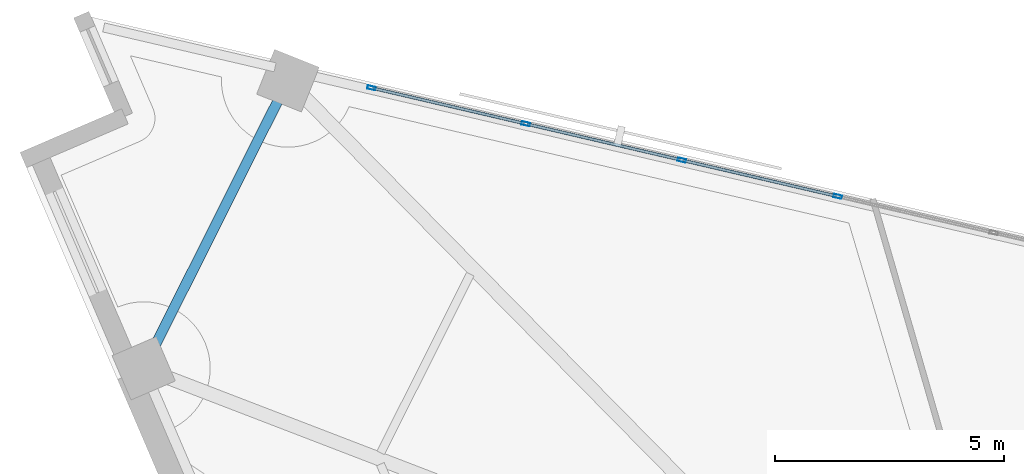
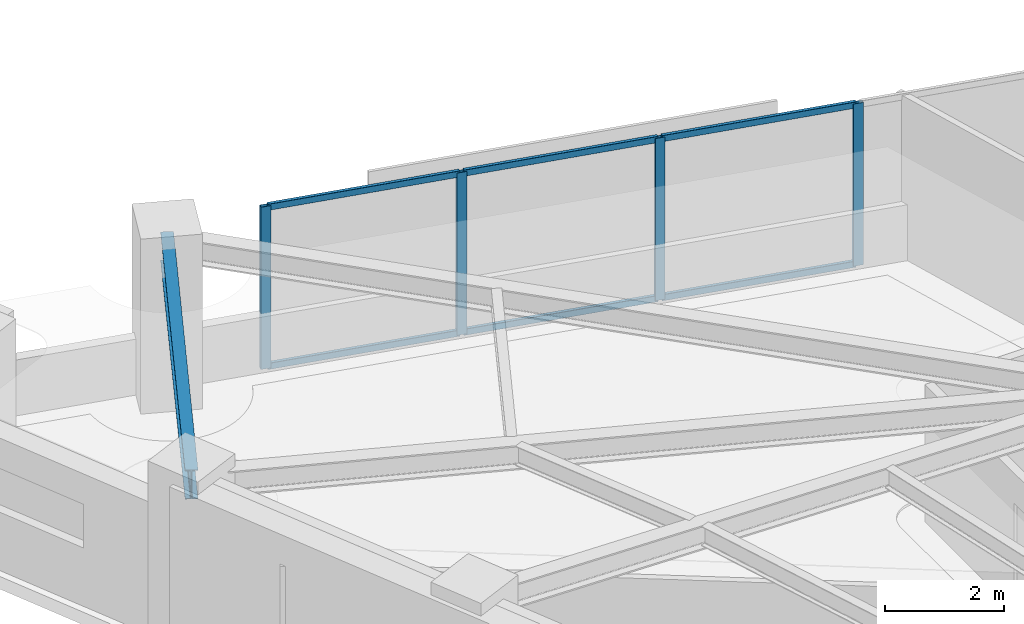
# One storey, part 6 of 13: 10 members, 1 beam, 1 element without a shape of its own.
"""IFC4 building model written with IfcOpenShell, lengths in metres."""

import ifcopenshell
import ifcopenshell.guid

model = None  # the IFC model being written
_history = None  # IfcOwnerHistory: only IFC2X3 demands one
_inside = {}  # id of a spatial element -> (the spatial element, [elements in it])
_under = {}  # id of a project, library or spatial element -> (it, [spatial elements below it])
_declared = {}  # id of a project -> (the project, [libraries it declares])
_typed = {}  # id of a type object -> (the type object, [elements of that type])
_made_of = {}  # id of a material, layer set ... -> (it, [elements and type objects made of it])


def new_model(schema):
    """Start an empty IFC model of exactly this schema.

    Asked for "IFC4X3", IfcOpenShell would pick the latest addendum, in which some entities
    have other attributes; the version numbers below select the first issue.
    IFC2X3 requires an IfcOwnerHistory on every rooted entity: one is made here for all.
    """
    global model, _history
    if schema == "IFC4X3":
        model = ifcopenshell.file(schema_version=(4, 3, 0, 0))
    else:
        model = ifcopenshell.file(schema=schema)
    _inside.clear()
    _under.clear()
    _declared.clear()
    _typed.clear()
    _made_of.clear()
    _history = None
    if model.schema == "IFC2X3":
        org = make("IfcOrganization", Name="unknown")
        user = make(
            "IfcPersonAndOrganization",
            ThePerson=make("IfcPerson", FamilyName="unknown"),
            TheOrganization=org,
        )
        app = make(
            "IfcApplication",
            ApplicationDeveloper=org,
            Version="unknown",
            ApplicationFullName="unknown",
            ApplicationIdentifier="unknown",
        )
        _history = make(
            "IfcOwnerHistory",
            OwningUser=user,
            OwningApplication=app,
            ChangeAction="ADDED",
            CreationDate=0,
        )
    return model


def make(cls, **values):
    """One entity of the class cls with the attributes given. An attribute that is None is left unset."""
    return model.create_entity(
        cls, **{name: value for name, value in values.items() if value is not None}
    )


def rooted(cls, **values):
    """An entity with a GlobalId (a new one), such as an element, a storey or a relation."""
    return make(cls, GlobalId=ifcopenshell.guid.new(), OwnerHistory=_history, **values)


def si_unit(unit_type, name, prefix=None):
    """IfcSIUnit, for example si_unit("LENGTHUNIT", "METRE", prefix="MILLI")."""
    return make("IfcSIUnit", UnitType=unit_type, Prefix=prefix, Name=name)


def assignment(units):
    """IfcUnitAssignment: the units of a project."""
    return None if units is None else make("IfcUnitAssignment", Units=units)


def point(xyz):
    """IfcCartesianPoint."""
    return None if xyz is None else make("IfcCartesianPoint", Coordinates=xyz)


def direction(xyz):
    """IfcDirection."""
    return None if xyz is None else make("IfcDirection", DirectionRatios=xyz)


def frame(location, z_axis=None, x_axis=None):
    """IfcAxis2Placement3D, a coordinate frame: its origin and axes. An axis left out is left unset."""
    return make(
        "IfcAxis2Placement3D",
        Location=point(location),
        Axis=direction(z_axis),
        RefDirection=direction(x_axis),
    )


def frame_2d(location, x_axis=None):
    """IfcAxis2Placement2D, a coordinate frame in the plane: its origin and x axis."""
    return make(
        "IfcAxis2Placement2D", Location=point(location), RefDirection=direction(x_axis)
    )


def origin():
    """The frame at (0, 0, 0) with its axes left unset."""
    return frame((0.0, 0.0, 0.0))


def origin_2d():
    """The frame at (0, 0) in the plane with its x axis left unset."""
    return frame_2d((0.0, 0.0))


def place(relative_to, where):
    """IfcLocalPlacement: puts the frame where relative to a parent placement (None: the world)."""
    return make(
        "IfcLocalPlacement", PlacementRelTo=relative_to, RelativePlacement=where
    )


def context(
    kind, dimensions, precision=None, world=None, true_north=None, identifier=None
):
    """IfcGeometricRepresentationContext, for example the 3D "Model" context."""
    return make(
        "IfcGeometricRepresentationContext",
        ContextIdentifier=identifier,
        ContextType=kind,
        CoordinateSpaceDimension=dimensions,
        Precision=precision,
        WorldCoordinateSystem=world,
        TrueNorth=true_north,
    )


def subcontext(parent, identifier, kind, view, scale=None):
    """IfcGeometricRepresentationSubContext, for example "Body" below "Model"."""
    return make(
        "IfcGeometricRepresentationSubContext",
        ContextIdentifier=identifier,
        ContextType=kind,
        ParentContext=parent,
        TargetScale=scale,
        TargetView=view,
    )


def project(units=None, contexts=None):
    """IfcProject with its units and contexts."""
    return rooted(
        "IfcProject",
        Name="project",
        RepresentationContexts=contexts,
        UnitsInContext=assignment(units),
    )


def spatial(cls, under=None, at=None, **own):
    """A site, building, storey or space (cls), placed at a placement, below another one or the project."""
    s = rooted(cls, ObjectPlacement=at, **own)
    if under is not None:
        _under.setdefault(under.id(), (under, []))[1].append(s)
    return s


def profile(cls, at=None, kind="AREA", **sizes):
    """A parametric profile (cls). Its sizes go by their IFC names, for example OverallWidth=200.0."""
    return make(cls, ProfileType=kind, Position=at, **sizes)


def hollow_rectangle(**sizes):
    """IfcRectangleHollowProfileDef."""
    return profile("IfcRectangleHollowProfileDef", **sizes)


def i_section(**sizes):
    """IfcIShapeProfileDef."""
    return profile("IfcIShapeProfileDef", **sizes)


def extrude(swept, where, along, depth):
    """IfcExtrudedAreaSolid: the profile swept, set in the frame where, extruded along a direction by depth."""
    return make(
        "IfcExtrudedAreaSolid",
        SweptArea=swept,
        Position=where,
        ExtrudedDirection=direction(along),
        Depth=depth,
    )


def shape(context_of_items, identifier, shape_type, items):
    """IfcShapeRepresentation: the items that make up one representation, for example the "Body"."""
    return make(
        "IfcShapeRepresentation",
        ContextOfItems=context_of_items,
        RepresentationIdentifier=identifier,
        RepresentationType=shape_type,
        Items=items,
    )


def material(Name=None, Category=None):
    """IfcMaterial."""
    return make("IfcMaterial", Name=Name, Category=Category)


def material_profile(
    of_material, cross_section, Name=None, Category=None, Priority=None
):
    """IfcMaterialProfile: a cross section and its material."""
    return make(
        "IfcMaterialProfile",
        Name=Name,
        Material=of_material,
        Profile=cross_section,
        Priority=Priority,
        Category=Category,
    )


def profile_set(profiles, Name=None, composite=None):
    """IfcMaterialProfileSet."""
    return make(
        "IfcMaterialProfileSet",
        Name=Name,
        MaterialProfiles=profiles,
        CompositeProfile=composite,
    )


def made_of(thing, what):
    """Note that an element or type object is made of a material, layer set ...; save() writes the relation."""
    if what is not None:
        _made_of.setdefault(what.id(), (what, []))[1].append(thing)
    return thing


def type_object(cls, material=None, **own):
    """A type object (cls), such as IfcWallType, which elements share."""
    return made_of(rooted(cls, **own), material)


def element(
    cls,
    number,
    at=None,
    inside=None,
    cuts=None,
    type_object=None,
    material=None,
    context=None,
    identifier="Body",
    shape_type=None,
    held_by="IfcProductDefinitionShape",
    body=None,
    shapes=None,
    **own,
):
    """One element of the class cls, such as IfcWall. Its Tag is "e" and its number.

    at: its placement. inside: the storey or other place that contains it. cuts: it is an
    opening in that element (IfcRelVoidsElement). A single representation is given by context,
    identifier, shape_type and body (its items); several are given by shapes. held_by: the class
    of the entity that holds the representations. save() writes the other relations.
    """
    e = rooted(cls, Tag="e%d" % number, ObjectPlacement=at, **own)
    if body is not None:
        shapes = [shape(context, identifier, shape_type, body)]
    if shapes is not None:
        e.Representation = make(held_by, Representations=shapes)
    if inside is not None:
        _inside.setdefault(inside.id(), (inside, []))[1].append(e)
    if cuts is not None:
        rooted(
            "IfcRelVoidsElement", RelatingBuildingElement=cuts, RelatedOpeningElement=e
        )
    if type_object is not None:
        _typed.setdefault(type_object.id(), (type_object, []))[1].append(e)
    return made_of(e, material)


def aggregate(whole, parts):
    """IfcRelAggregates: a whole, such as a stair, and the parts it consists of."""
    return rooted("IfcRelAggregates", RelatingObject=whole, RelatedObjects=parts)


def save(model, path):
    """Write the relations noted so far, then the file.

    IfcRelAggregates (storeys below a building ...), IfcRelContainedInSpatialStructure (elements
    in a storey), IfcRelDefinesByType, IfcRelAssociatesMaterial and IfcRelDeclares: one each for
    every whole, place, type object, material and project.
    """
    for whole, parts in _under.values():
        aggregate(whole, parts)
    for where, things in _inside.values():
        rooted(
            "IfcRelContainedInSpatialStructure",
            RelatedElements=things,
            RelatingStructure=where,
        )
    for kind, things in _typed.values():
        rooted("IfcRelDefinesByType", RelatedObjects=things, RelatingType=kind)
    for what, things in _made_of.values():
        rooted("IfcRelAssociatesMaterial", RelatedObjects=things, RelatingMaterial=what)
    for by, libraries in _declared.values():
        rooted("IfcRelDeclares", RelatingContext=by, RelatedDefinitions=libraries)
    model.write(path)


model = new_model("IFC4")

# Units and contexts
model_context = context("Model", 3, precision=1e-05, world=origin(), true_north=direction((0.0, 1.0)))
body_context = subcontext(model_context, "Body", "Model", "MODEL_VIEW")
ifc_project = project(units=[si_unit("LENGTHUNIT", "METRE"), si_unit("AREAUNIT", "SQUARE_METRE"), si_unit("VOLUMEUNIT", "CUBIC_METRE"), si_unit("PLANEANGLEUNIT", "RADIAN"), si_unit("MASSUNIT", "GRAM", prefix="KILO")], contexts=[model_context])

# Site, building, storey
site_placement = place(None, origin())
site = spatial("IfcSite", under=ifc_project, at=site_placement, CompositionType="ELEMENT")
building_placement = place(site_placement, origin())
building = spatial("IfcBuilding", under=site, at=building_placement, Name="Narakoshi Arena Tower", CompositionType="ELEMENT")
storey_placement = place(building_placement, frame((0.0, 0.0, 171.89990234375)))
storey = spatial("IfcBuildingStorey", under=building, at=storey_placement, Name="L46", CompositionType="ELEMENT", Elevation=171.89990234375)

# Beam
ifc_material_1 = material(Name="Structural steel S355J2", Category="steel")
ifc_material_profile_1 = material_profile(ifc_material_1, i_section(OverallWidth=0.219970703125, OverallDepth=0.60009765625, WebThickness=0.011962890625, FlangeThickness=0.01904296875, FilletRadius=0.02392578125, at=origin_2d()), Name="IPE600")
ifc_profile_set_1 = profile_set([ifc_material_profile_1], Name="Structural steel S355J2")
beam_type = type_object("IfcBeamType", Name="BM-EDGE-600", PredefinedType="BEAM", material=ifc_profile_set_1)
beam_placement = place(storey_placement, frame((60.12158203125, 68.55126953125, 3.0400390625), z_axis=(-0.448312643015, -0.893876822674, 0.0), x_axis=(0.893876822674, -0.448312643015, 0.0)))
element("IfcBeam", 1, at=beam_placement, inside=storey, type_object=beam_type, Name="L46 Perimeter Edge Girder 07", PredefinedType="BEAM", context=body_context, shape_type="SweptSolid", body=[
    extrude(i_section(OverallWidth=0.219970703125, OverallDepth=0.60009765625, WebThickness=0.011962890625, FlangeThickness=0.01904296875, FilletRadius=0.02392578125, at=origin_2d()), origin(), (0.0, 0.0, 1.0), 7.017333984375),
])

# Curtain wall, members
ifc_material_2 = material(Name="Anodised bronze aluminium 6063-T6", Category="aluminium")
curtain_wall_type = type_object("IfcCurtainWallType", Name="CW-HYP-MID", PredefinedType="NOTDEFINED", material=ifc_material_2)
curtain_wall_placement = place(storey_placement, origin())
curtain_wall = element("IfcCurtainWall", 2, at=curtain_wall_placement, inside=storey, type_object=curtain_wall_type, Name="L46 Folded Hypotenuse Curtain Wall 2-1", PredefinedType="NOTDEFINED")
ifc_material_profile_2 = material_profile(ifc_material_2, hollow_rectangle(XDim=0.074951171875, YDim=0.179931640625, WallThickness=0.00390625, OuterFilletRadius=0.0048828125, at=origin_2d()), Name="MUL180x75x4")
ifc_profile_set_2 = profile_set([ifc_material_profile_2], Name="Anodised bronze aluminium 6063-T6")
member_type_1 = type_object("IfcMemberType", Name="MEM-MUL-180", PredefinedType="MULLION", material=ifc_profile_set_2)
member_1_placement = place(storey_placement, frame((72.109619140625, 66.027587890625, 0.0), z_axis=(0.0, 0.0, 1.0), x_axis=(-0.226721182724, -0.973959704148, 0.0)))
member_1 = element("IfcMember", 3, at=member_1_placement, type_object=member_type_1, Name="CW-02 mullion 5", PredefinedType="MULLION", context=body_context, shape_type="SweptSolid", body=[
    extrude(hollow_rectangle(XDim=0.074951171875, YDim=0.179931640625, WallThickness=0.00390625, OuterFilletRadius=0.0048828125, at=origin_2d()), origin(), (0.0, 0.0, 1.0), 3.340087890625),
])
member_2_placement = place(storey_placement, frame((68.708740234375, 66.8193359375, 0.0), z_axis=(0.0, 0.0, 1.0), x_axis=(-0.226721182724, -0.973959704148, 0.0)))
member_2 = element("IfcMember", 4, at=member_2_placement, type_object=member_type_1, Name="CW-02 mullion 6", PredefinedType="MULLION", context=body_context, shape_type="SweptSolid", body=[
    extrude(hollow_rectangle(XDim=0.074951171875, YDim=0.179931640625, WallThickness=0.00390625, OuterFilletRadius=0.0048828125, at=origin_2d()), origin(), (0.0, 0.0, 1.0), 3.340087890625),
])
member_3_placement = place(storey_placement, frame((65.307861328125, 67.611083984375, 0.0), z_axis=(0.0, 0.0, 1.0), x_axis=(-0.226721182724, -0.973959704148, 0.0)))
member_3 = element("IfcMember", 5, at=member_3_placement, type_object=member_type_1, Name="CW-02 mullion 7", PredefinedType="MULLION", context=body_context, shape_type="SweptSolid", body=[
    extrude(hollow_rectangle(XDim=0.074951171875, YDim=0.179931640625, WallThickness=0.00390625, OuterFilletRadius=0.0048828125, at=origin_2d()), origin(), (0.0, 0.0, 1.0), 3.340087890625),
])
member_4_placement = place(storey_placement, frame((61.943359375, 68.394287109375, 0.0), z_axis=(0.0, 0.0, 1.0), x_axis=(-0.226721182724, -0.973959704148, 0.0)))
member_4 = element("IfcMember", 6, at=member_4_placement, type_object=member_type_1, Name="CW-02 mullion 8", PredefinedType="MULLION", context=body_context, shape_type="SweptSolid", body=[
    extrude(hollow_rectangle(XDim=0.074951171875, YDim=0.179931640625, WallThickness=0.00390625, OuterFilletRadius=0.0048828125, at=origin_2d()), origin(), (0.0, 0.0, 1.0), 3.340087890625),
])
ifc_material_profile_3 = material_profile(ifc_material_2, hollow_rectangle(XDim=0.06494140625, YDim=0.1298828125, WallThickness=0.00390625, OuterFilletRadius=0.0048828125, at=origin_2d()), Name="TRN130x65x4")
ifc_profile_set_3 = profile_set([ifc_material_profile_3], Name="Anodised bronze aluminium 6063-T6")
member_type_2 = type_object("IfcMemberType", Name="MEM-TRN-130", PredefinedType="USERDEFINED", material=ifc_profile_set_3)
member_5_placement = place(storey_placement, frame((72.072998046875, 66.0361328125, 0.03271484375), z_axis=(-0.973960713384, 0.226716847155, 0.0), x_axis=(-0.226716847155, -0.973960713384, 0.0)))
member_5 = element("IfcMember", 7, at=member_5_placement, type_object=member_type_2, Name="CW-02 transom 5.1", ObjectType="TRANSOM", PredefinedType="USERDEFINED", context=body_context, shape_type="SweptSolid", body=[
    extrude(hollow_rectangle(XDim=0.06494140625, YDim=0.1298828125, WallThickness=0.00390625, OuterFilletRadius=0.0048828125, at=origin_2d()), origin(), (0.0, 0.0, 1.0), 3.416748046875),
])
member_6_placement = place(storey_placement, frame((72.072998046875, 66.0361328125, 3.3076171875), z_axis=(-0.973960713384, 0.226716847155, 0.0), x_axis=(-0.226716847155, -0.973960713384, 0.0)))
member_6 = element("IfcMember", 8, at=member_6_placement, type_object=member_type_2, Name="CW-02 transom 5.2", ObjectType="TRANSOM", PredefinedType="USERDEFINED", context=body_context, shape_type="SweptSolid", body=[
    extrude(hollow_rectangle(XDim=0.06494140625, YDim=0.1298828125, WallThickness=0.00390625, OuterFilletRadius=0.0048828125, at=origin_2d()), origin(), (0.0, 0.0, 1.0), 3.416748046875),
])
member_7_placement = place(storey_placement, frame((68.672119140625, 66.827880859375, 0.03271484375), z_axis=(-0.973960713384, 0.226716847155, 0.0), x_axis=(-0.226716847155, -0.973960713384, 0.0)))
member_7 = element("IfcMember", 9, at=member_7_placement, type_object=member_type_2, Name="CW-02 transom 6.1", ObjectType="TRANSOM", PredefinedType="USERDEFINED", context=body_context, shape_type="SweptSolid", body=[
    extrude(hollow_rectangle(XDim=0.06494140625, YDim=0.1298828125, WallThickness=0.00390625, OuterFilletRadius=0.0048828125, at=origin_2d()), origin(), (0.0, 0.0, 1.0), 3.416748046875),
])
member_8_placement = place(storey_placement, frame((68.672119140625, 66.827880859375, 3.3076171875), z_axis=(-0.973960713384, 0.226716847155, 0.0), x_axis=(-0.226716847155, -0.973960713384, 0.0)))
member_8 = element("IfcMember", 10, at=member_8_placement, type_object=member_type_2, Name="CW-02 transom 6.2", ObjectType="TRANSOM", PredefinedType="USERDEFINED", context=body_context, shape_type="SweptSolid", body=[
    extrude(hollow_rectangle(XDim=0.06494140625, YDim=0.1298828125, WallThickness=0.00390625, OuterFilletRadius=0.0048828125, at=origin_2d()), origin(), (0.0, 0.0, 1.0), 3.416748046875),
])
member_9_placement = place(storey_placement, frame((65.271240234375, 67.61962890625, 0.03271484375), z_axis=(-0.97396204172, 0.226711140636, 0.0), x_axis=(-0.226711140636, -0.97396204172, 0.0)))
member_9 = element("IfcMember", 11, at=member_9_placement, type_object=member_type_2, Name="CW-02 transom 7.1", ObjectType="TRANSOM", PredefinedType="USERDEFINED", context=body_context, shape_type="SweptSolid", body=[
    extrude(hollow_rectangle(XDim=0.06494140625, YDim=0.1298828125, WallThickness=0.00390625, OuterFilletRadius=0.0048828125, at=origin_2d()), origin(), (0.0, 0.0, 1.0), 3.379150390625),
])
member_10_placement = place(storey_placement, frame((65.271240234375, 67.61962890625, 3.3076171875), z_axis=(-0.97396204172, 0.226711140636, 0.0), x_axis=(-0.226711140636, -0.97396204172, 0.0)))
member_10 = element("IfcMember", 12, at=member_10_placement, type_object=member_type_2, Name="CW-02 transom 7.2", ObjectType="TRANSOM", PredefinedType="USERDEFINED", context=body_context, shape_type="SweptSolid", body=[
    extrude(hollow_rectangle(XDim=0.06494140625, YDim=0.1298828125, WallThickness=0.00390625, OuterFilletRadius=0.0048828125, at=origin_2d()), origin(), (0.0, 0.0, 1.0), 3.379150390625),
])
aggregate(curtain_wall, [member_1, member_2, member_3, member_4, member_5, member_6, member_7, member_8, member_9, member_10])

save(model, "model.ifc")
